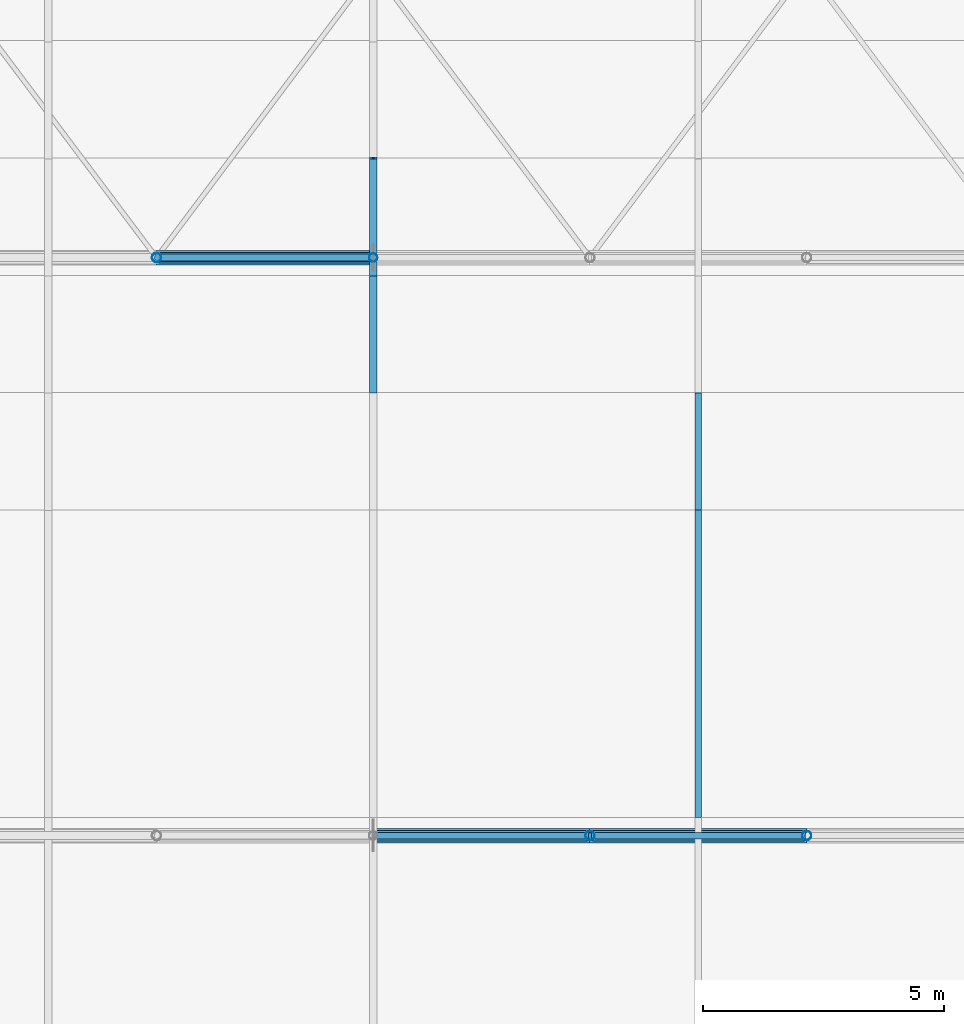
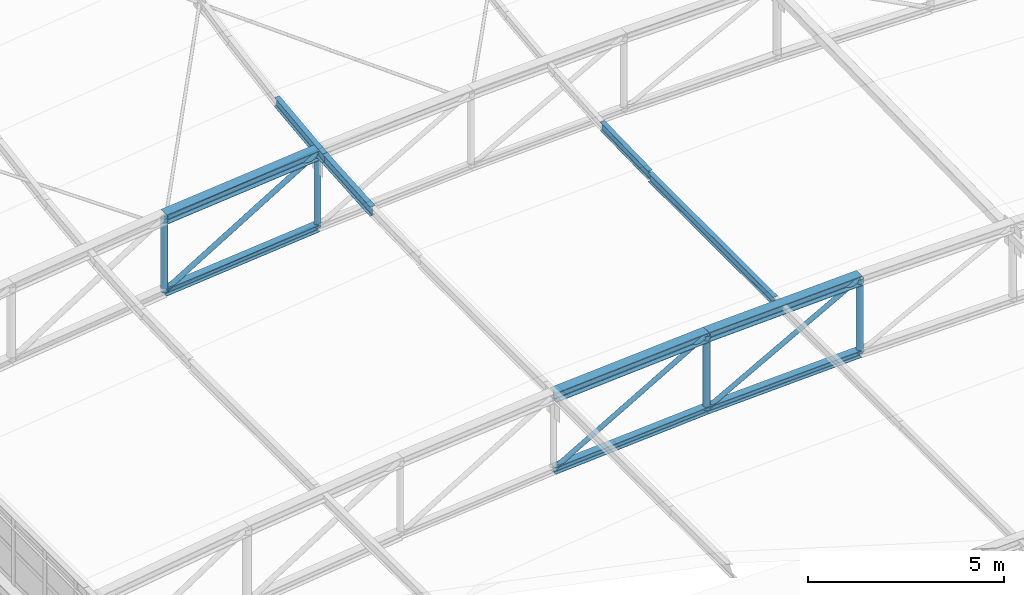
# One storey, part 108 of 262: 17 members.
"""IFC4 building model written with IfcOpenShell, lengths in metres."""

import ifcopenshell
import ifcopenshell.guid

model = None  # the IFC model being written
_history = None  # IfcOwnerHistory: only IFC2X3 demands one
_inside = {}  # id of a spatial element -> (the spatial element, [elements in it])
_under = {}  # id of a project, library or spatial element -> (it, [spatial elements below it])
_declared = {}  # id of a project -> (the project, [libraries it declares])
_typed = {}  # id of a type object -> (the type object, [elements of that type])
_made_of = {}  # id of a material, layer set ... -> (it, [elements and type objects made of it])


def new_model(schema):
    """Start an empty IFC model of exactly this schema.

    Asked for "IFC4X3", IfcOpenShell would pick the latest addendum, in which some entities
    have other attributes; the version numbers below select the first issue.
    IFC2X3 requires an IfcOwnerHistory on every rooted entity: one is made here for all.
    """
    global model, _history
    if schema == "IFC4X3":
        model = ifcopenshell.file(schema_version=(4, 3, 0, 0))
    else:
        model = ifcopenshell.file(schema=schema)
    _inside.clear()
    _under.clear()
    _declared.clear()
    _typed.clear()
    _made_of.clear()
    _history = None
    if model.schema == "IFC2X3":
        org = make("IfcOrganization", Name="unknown")
        user = make(
            "IfcPersonAndOrganization",
            ThePerson=make("IfcPerson", FamilyName="unknown"),
            TheOrganization=org,
        )
        app = make(
            "IfcApplication",
            ApplicationDeveloper=org,
            Version="unknown",
            ApplicationFullName="unknown",
            ApplicationIdentifier="unknown",
        )
        _history = make(
            "IfcOwnerHistory",
            OwningUser=user,
            OwningApplication=app,
            ChangeAction="ADDED",
            CreationDate=0,
        )
    return model


def make(cls, **values):
    """One entity of the class cls with the attributes given. An attribute that is None is left unset."""
    return model.create_entity(
        cls, **{name: value for name, value in values.items() if value is not None}
    )


def rooted(cls, **values):
    """An entity with a GlobalId (a new one), such as an element, a storey or a relation."""
    return make(cls, GlobalId=ifcopenshell.guid.new(), OwnerHistory=_history, **values)


def si_unit(unit_type, name, prefix=None):
    """IfcSIUnit, for example si_unit("LENGTHUNIT", "METRE", prefix="MILLI")."""
    return make("IfcSIUnit", UnitType=unit_type, Prefix=prefix, Name=name)


def derived_unit(unit_type, elements):
    """IfcDerivedUnit: a product of units, each with its exponent."""
    return make(
        "IfcDerivedUnit",
        Elements=[
            make("IfcDerivedUnitElement", Unit=unit, Exponent=power)
            for unit, power in elements
        ],
        UnitType=unit_type,
    )


def assignment(units):
    """IfcUnitAssignment: the units of a project."""
    return None if units is None else make("IfcUnitAssignment", Units=units)


def point(xyz):
    """IfcCartesianPoint."""
    return None if xyz is None else make("IfcCartesianPoint", Coordinates=xyz)


def direction(xyz):
    """IfcDirection."""
    return None if xyz is None else make("IfcDirection", DirectionRatios=xyz)


def frame(location, z_axis=None, x_axis=None):
    """IfcAxis2Placement3D, a coordinate frame: its origin and axes. An axis left out is left unset."""
    return make(
        "IfcAxis2Placement3D",
        Location=point(location),
        Axis=direction(z_axis),
        RefDirection=direction(x_axis),
    )


def frame_2d(location, x_axis=None):
    """IfcAxis2Placement2D, a coordinate frame in the plane: its origin and x axis."""
    return make(
        "IfcAxis2Placement2D", Location=point(location), RefDirection=direction(x_axis)
    )


def origin():
    """The frame at (0, 0, 0) with its axes left unset."""
    return frame((0.0, 0.0, 0.0))


def origin_2d():
    """The frame at (0, 0) in the plane with its x axis left unset."""
    return frame_2d((0.0, 0.0))


def place(relative_to, where):
    """IfcLocalPlacement: puts the frame where relative to a parent placement (None: the world)."""
    return make(
        "IfcLocalPlacement", PlacementRelTo=relative_to, RelativePlacement=where
    )


def context(
    kind, dimensions, precision=None, world=None, true_north=None, identifier=None
):
    """IfcGeometricRepresentationContext, for example the 3D "Model" context."""
    return make(
        "IfcGeometricRepresentationContext",
        ContextIdentifier=identifier,
        ContextType=kind,
        CoordinateSpaceDimension=dimensions,
        Precision=precision,
        WorldCoordinateSystem=world,
        TrueNorth=true_north,
    )


def subcontext(parent, identifier, kind, view, scale=None):
    """IfcGeometricRepresentationSubContext, for example "Body" below "Model"."""
    return make(
        "IfcGeometricRepresentationSubContext",
        ContextIdentifier=identifier,
        ContextType=kind,
        ParentContext=parent,
        TargetScale=scale,
        TargetView=view,
    )


def project(units=None, contexts=None):
    """IfcProject with its units and contexts."""
    return rooted(
        "IfcProject",
        Name="project",
        RepresentationContexts=contexts,
        UnitsInContext=assignment(units),
    )


def spatial(cls, under=None, at=None, **own):
    """A site, building, storey or space (cls), placed at a placement, below another one or the project."""
    s = rooted(cls, ObjectPlacement=at, **own)
    if under is not None:
        _under.setdefault(under.id(), (under, []))[1].append(s)
    return s


def profile(cls, at=None, kind="AREA", **sizes):
    """A parametric profile (cls). Its sizes go by their IFC names, for example OverallWidth=200.0."""
    return make(cls, ProfileType=kind, Position=at, **sizes)


def hollow_circle(**sizes):
    """IfcCircleHollowProfileDef."""
    return profile("IfcCircleHollowProfileDef", **sizes)


def i_section(**sizes):
    """IfcIShapeProfileDef."""
    return profile("IfcIShapeProfileDef", **sizes)


def extrude(swept, where, along, depth):
    """IfcExtrudedAreaSolid: the profile swept, set in the frame where, extruded along a direction by depth."""
    return make(
        "IfcExtrudedAreaSolid",
        SweptArea=swept,
        Position=where,
        ExtrudedDirection=direction(along),
        Depth=depth,
    )


def shape(context_of_items, identifier, shape_type, items):
    """IfcShapeRepresentation: the items that make up one representation, for example the "Body"."""
    return make(
        "IfcShapeRepresentation",
        ContextOfItems=context_of_items,
        RepresentationIdentifier=identifier,
        RepresentationType=shape_type,
        Items=items,
    )


def material(Name=None, Category=None):
    """IfcMaterial."""
    return make("IfcMaterial", Name=Name, Category=Category)


def material_profile(
    of_material, cross_section, Name=None, Category=None, Priority=None
):
    """IfcMaterialProfile: a cross section and its material."""
    return make(
        "IfcMaterialProfile",
        Name=Name,
        Material=of_material,
        Profile=cross_section,
        Priority=Priority,
        Category=Category,
    )


def profile_set(profiles, Name=None, composite=None):
    """IfcMaterialProfileSet."""
    return make(
        "IfcMaterialProfileSet",
        Name=Name,
        MaterialProfiles=profiles,
        CompositeProfile=composite,
    )


def made_of(thing, what):
    """Note that an element or type object is made of a material, layer set ...; save() writes the relation."""
    if what is not None:
        _made_of.setdefault(what.id(), (what, []))[1].append(thing)
    return thing


def type_object(cls, material=None, **own):
    """A type object (cls), such as IfcWallType, which elements share."""
    return made_of(rooted(cls, **own), material)


def element(
    cls,
    number,
    at=None,
    inside=None,
    cuts=None,
    type_object=None,
    material=None,
    context=None,
    identifier="Body",
    shape_type=None,
    held_by="IfcProductDefinitionShape",
    body=None,
    shapes=None,
    **own,
):
    """One element of the class cls, such as IfcWall. Its Tag is "e" and its number.

    at: its placement. inside: the storey or other place that contains it. cuts: it is an
    opening in that element (IfcRelVoidsElement). A single representation is given by context,
    identifier, shape_type and body (its items); several are given by shapes. held_by: the class
    of the entity that holds the representations. save() writes the other relations.
    """
    e = rooted(cls, Tag="e%d" % number, ObjectPlacement=at, **own)
    if body is not None:
        shapes = [shape(context, identifier, shape_type, body)]
    if shapes is not None:
        e.Representation = make(held_by, Representations=shapes)
    if inside is not None:
        _inside.setdefault(inside.id(), (inside, []))[1].append(e)
    if cuts is not None:
        rooted(
            "IfcRelVoidsElement", RelatingBuildingElement=cuts, RelatedOpeningElement=e
        )
    if type_object is not None:
        _typed.setdefault(type_object.id(), (type_object, []))[1].append(e)
    return made_of(e, material)


def aggregate(whole, parts):
    """IfcRelAggregates: a whole, such as a stair, and the parts it consists of."""
    return rooted("IfcRelAggregates", RelatingObject=whole, RelatedObjects=parts)


def save(model, path):
    """Write the relations noted so far, then the file.

    IfcRelAggregates (storeys below a building ...), IfcRelContainedInSpatialStructure (elements
    in a storey), IfcRelDefinesByType, IfcRelAssociatesMaterial and IfcRelDeclares: one each for
    every whole, place, type object, material and project.
    """
    for whole, parts in _under.values():
        aggregate(whole, parts)
    for where, things in _inside.values():
        rooted(
            "IfcRelContainedInSpatialStructure",
            RelatedElements=things,
            RelatingStructure=where,
        )
    for kind, things in _typed.values():
        rooted("IfcRelDefinesByType", RelatedObjects=things, RelatingType=kind)
    for what, things in _made_of.values():
        rooted("IfcRelAssociatesMaterial", RelatedObjects=things, RelatingMaterial=what)
    for by, libraries in _declared.values():
        rooted("IfcRelDeclares", RelatingContext=by, RelatedDefinitions=libraries)
    model.write(path)


model = new_model("IFC4")

# Units and contexts
model_context = context("Model", 3, precision=1e-05, world=origin(), true_north=direction((0.0, 1.0)))
body_context = subcontext(model_context, "Body", "Model", "MODEL_VIEW")
ifc_project = project(units=[si_unit("LENGTHUNIT", "METRE"), si_unit("AREAUNIT", "SQUARE_METRE"), si_unit("VOLUMEUNIT", "CUBIC_METRE"), si_unit("PLANEANGLEUNIT", "RADIAN"), si_unit("MASSUNIT", "GRAM", prefix="KILO"), derived_unit("THERMALTRANSMITTANCEUNIT", [(si_unit("POWERUNIT", "WATT"), 1), (si_unit("LENGTHUNIT", "METRE"), -2), (si_unit("THERMODYNAMICTEMPERATUREUNIT", "KELVIN"), -1)])], contexts=[model_context])

# Site, building, storey
site_placement = place(None, origin())
site = spatial("IfcSite", under=ifc_project, at=site_placement, CompositionType="ELEMENT")
building_placement = place(site_placement, origin())
building = spatial("IfcBuilding", under=site, at=building_placement, Name="Almenara Railside Exhibition Hall", CompositionType="ELEMENT")
storey_placement = place(building_placement, frame((0.0, 0.0, 21.699951171875)))
storey = spatial("IfcBuildingStorey", under=building, at=storey_placement, Name="RF", CompositionType="ELEMENT", Elevation=21.699951171875)

# Members
ifc_material = material(Name="Structural steel S355JR", Category="steel")
ifc_material_profile_1 = material_profile(ifc_material, i_section(OverallWidth=0.300048828125, OverallDepth=0.300048828125, WebThickness=0.010986328125, FlangeThickness=0.01904296875, FilletRadius=0.027099609375, at=origin_2d()), Name="HEB 300")
ifc_profile_set_1 = profile_set([ifc_material_profile_1], Name="Structural steel S355JR")
member_type_1 = type_object("IfcMemberType", Name="Arched Inner Top Chord HEB 300 S355JR", PredefinedType="CHORD", material=ifc_profile_set_1)
member_1_placement = place(storey_placement, frame((25.5, 96.0, 1.550048828125), z_axis=(0.997701025897, 0.0, 0.067769188608), x_axis=(0.0, 1.0, 0.0)))
element("IfcMember", 1, at=member_1_placement, inside=storey, type_object=member_type_1, Name="MEM-TC-V1-04-03", PredefinedType="CHORD", context=body_context, shape_type="SweptSolid", body=[
    extrude(i_section(OverallWidth=0.300048828125, OverallDepth=0.300048828125, WebThickness=0.010986328125, FlangeThickness=0.01904296875, FilletRadius=0.027099609375, at=origin_2d()), origin(), (0.0, 0.0, 1.0), 4.51025390625),
])
member_2_placement = place(storey_placement, frame((30.0, 96.0, 1.855712890625), z_axis=(0.999173184279, 0.0, 0.040656460949), x_axis=(0.0, 1.0, 0.0)))
element("IfcMember", 2, at=member_2_placement, inside=storey, type_object=member_type_1, Name="MEM-TC-V1-04-04", PredefinedType="CHORD", context=body_context, shape_type="SweptSolid", body=[
    extrude(i_section(OverallWidth=0.300048828125, OverallDepth=0.300048828125, WebThickness=0.010986328125, FlangeThickness=0.01904296875, FilletRadius=0.027099609375, at=origin_2d()), origin(), (0.0, 0.0, 1.0), 4.503662109375),
])
member_3_placement = place(storey_placement, frame((21.0, 108.0, 1.386962890625), z_axis=(0.995512933083, 0.0, 0.094625578275), x_axis=(0.0, 1.0, 0.0)))
element("IfcMember", 3, at=member_3_placement, inside=storey, type_object=member_type_1, Name="MEM-TC-V1-05-02", PredefinedType="CHORD", context=body_context, shape_type="SweptSolid", body=[
    extrude(i_section(OverallWidth=0.300048828125, OverallDepth=0.300048828125, WebThickness=0.010986328125, FlangeThickness=0.01904296875, FilletRadius=0.027099609375, at=origin_2d()), origin(), (0.0, 0.0, 1.0), 4.520263671875),
])
ifc_material_profile_2 = material_profile(ifc_material, i_section(OverallWidth=0.14990234375, OverallDepth=0.300048828125, WebThickness=0.007080078125, FlangeThickness=0.0107421875, FilletRadius=0.014892578125, at=origin_2d()), Name="IPE 300")
ifc_profile_set_2 = profile_set([ifc_material_profile_2], Name="Structural steel S355JR")
member_type_2 = type_object("IfcMemberType", Name="East Hall Ridge Purlin IPE 300 S355JR", PredefinedType="PURLIN", material=ifc_profile_set_2)
member_4_placement = place(storey_placement, frame((25.5, 105.1962890625, 1.693359375), z_axis=(0.0, 0.997521719737, 0.070359211571), x_axis=(-1.0, 0.0, 0.0)))
element("IfcMember", 4, at=member_4_placement, inside=storey, type_object=member_type_2, Name="MEM-PR-V1-PR-IPE300-02-17", PredefinedType="PURLIN", context=body_context, shape_type="SweptSolid", body=[
    extrude(i_section(OverallWidth=0.14990234375, OverallDepth=0.300048828125, WebThickness=0.007080078125, FlangeThickness=0.0107421875, FilletRadius=0.014892578125, at=origin_2d()), origin(), (0.0, 0.0, 1.0), 2.44287109375),
])
member_5_placement = place(storey_placement, frame((25.5, 107.633056640625, 1.863525390625), z_axis=(0.0, 0.993105700961, 0.117222296166), x_axis=(-1.0, 0.0, 0.0)))
element("IfcMember", 5, at=member_5_placement, inside=storey, type_object=member_type_2, Name="MEM-PR-V1-PR-IPE300-02-18", PredefinedType="PURLIN", context=body_context, shape_type="SweptSolid", body=[
    extrude(i_section(OverallWidth=0.14990234375, OverallDepth=0.300048828125, WebThickness=0.007080078125, FlangeThickness=0.0107421875, FilletRadius=0.014892578125, at=origin_2d()), origin(), (0.0, 0.0, 1.0), 2.453369140625),
])
ifc_material_profile_3 = material_profile(ifc_material, i_section(OverallWidth=0.135009765625, OverallDepth=0.27001953125, WebThickness=0.006591796875, FlangeThickness=0.01025390625, FilletRadius=0.014892578125, at=origin_2d()), Name="IPE 270")
ifc_profile_set_3 = profile_set([ifc_material_profile_3], Name="Structural steel S355JR")
member_type_3 = type_object("IfcMemberType", Name="East Hall Standard Purlin IPE 270 S355JR", PredefinedType="PURLIN", material=ifc_profile_set_3)
member_6_placement = place(storey_placement, frame((32.25, 96.3798828125, 1.8798828125), z_axis=(0.0, 1.0, 0.0), x_axis=(-1.0, 0.0, 0.0)))
element("IfcMember", 6, at=member_6_placement, inside=storey, type_object=member_type_3, Name="MEM-PR-V1-PR-IPE270-03-15", PredefinedType="PURLIN", context=body_context, shape_type="SweptSolid", body=[
    extrude(i_section(OverallWidth=0.135009765625, OverallDepth=0.27001953125, WebThickness=0.006591796875, FlangeThickness=0.01025390625, FilletRadius=0.014892578125, at=origin_2d()), origin(), (0.0, 0.0, 1.0), 6.379638671875),
])
member_7_placement = place(storey_placement, frame((32.25, 102.759521484375, 1.929931640625), z_axis=(0.0, 0.999725289903, 0.023438104182), x_axis=(-1.0, 0.0, 0.0)))
element("IfcMember", 7, at=member_7_placement, inside=storey, type_object=member_type_3, Name="MEM-PR-V1-PR-IPE270-03-16", PredefinedType="PURLIN", context=body_context, shape_type="SweptSolid", body=[
    extrude(i_section(OverallWidth=0.135009765625, OverallDepth=0.27001953125, WebThickness=0.006591796875, FlangeThickness=0.01025390625, FilletRadius=0.014892578125, at=origin_2d()), origin(), (0.0, 0.0, 1.0), 2.4375),
])
ifc_material_profile_4 = material_profile(ifc_material, i_section(OverallWidth=0.219970703125, OverallDepth=0.219970703125, WebThickness=0.009521484375, FlangeThickness=0.01611328125, FilletRadius=0.01806640625, at=origin_2d()), Name="HEB 220")
ifc_profile_set_4 = profile_set([ifc_material_profile_4], Name="Structural steel S355JR")
member_type_4 = type_object("IfcMemberType", Name="Scroll Tie Chord HEB 220 S355JR", PredefinedType="CHORD", material=ifc_profile_set_4)
member_8_placement = place(storey_placement, frame((25.5, 96.0, -0.75), z_axis=(0.997701025897, 0.0, 0.067769188608), x_axis=(0.0, 1.0, 0.0)))
element("IfcMember", 8, at=member_8_placement, inside=storey, type_object=member_type_4, Name="MEM-BC-V1-04-03", PredefinedType="CHORD", context=body_context, shape_type="SweptSolid", body=[
    extrude(i_section(OverallWidth=0.219970703125, OverallDepth=0.219970703125, WebThickness=0.009521484375, FlangeThickness=0.01611328125, FilletRadius=0.01806640625, at=origin_2d()), origin(), (0.0, 0.0, 1.0), 4.51025390625),
])
member_9_placement = place(storey_placement, frame((30.0, 96.0, -0.4443359375), z_axis=(0.99917098071, 0.0, 0.04071057978), x_axis=(0.0, 1.0, 0.0)))
element("IfcMember", 9, at=member_9_placement, inside=storey, type_object=member_type_4, Name="MEM-BC-V1-04-04", PredefinedType="CHORD", context=body_context, shape_type="SweptSolid", body=[
    extrude(i_section(OverallWidth=0.219970703125, OverallDepth=0.219970703125, WebThickness=0.009521484375, FlangeThickness=0.01611328125, FilletRadius=0.01806640625, at=origin_2d()), origin(), (0.0, 0.0, 1.0), 4.503662109375),
])
member_10_placement = place(storey_placement, frame((21.0, 108.0, -0.9130859375), z_axis=(0.995507843872, 0.0, 0.094679104292), x_axis=(0.0, 1.0, 0.0)))
element("IfcMember", 10, at=member_10_placement, inside=storey, type_object=member_type_4, Name="MEM-BC-V1-05-02", PredefinedType="CHORD", context=body_context, shape_type="SweptSolid", body=[
    extrude(i_section(OverallWidth=0.219970703125, OverallDepth=0.219970703125, WebThickness=0.009521484375, FlangeThickness=0.01611328125, FilletRadius=0.01806640625, at=origin_2d()), origin(), (0.0, 0.0, 1.0), 4.520263671875),
])
ifc_material_profile_5 = material_profile(ifc_material, hollow_circle(Radius=0.06982421875, WallThickness=0.0048828125, at=origin_2d()), Name="CHS 139.7x5")
ifc_profile_set_5 = profile_set([ifc_material_profile_5], Name="Structural steel S355JR")
member_type_5 = type_object("IfcMemberType", Name="Truss Inner Diagonal CHS 139.7x5 S355JR", PredefinedType="BRACE", material=ifc_profile_set_5)
member_11_placement = place(storey_placement, frame((25.5, 96.0, -0.75), z_axis=(0.865388781224, 0.0, 0.501101045031), x_axis=(0.0, 1.0, 0.0)))
element("IfcMember", 11, at=member_11_placement, inside=storey, type_object=member_type_5, Name="MEM-TD-V1-04-03", PredefinedType="BRACE", context=body_context, shape_type="SweptSolid", body=[
    extrude(hollow_circle(Radius=0.06982421875, WallThickness=0.0048828125, at=origin_2d()), origin(), (0.0, 0.0, 1.0), 5.199951171875),
])
member_12_placement = place(storey_placement, frame((30.0, 96.0, -0.4443359375), z_axis=(0.875545119572, 0.0, 0.483136361283), x_axis=(0.0, 1.0, 0.0)))
element("IfcMember", 12, at=member_12_placement, inside=storey, type_object=member_type_5, Name="MEM-TD-V1-04-04", PredefinedType="BRACE", context=body_context, shape_type="SweptSolid", body=[
    extrude(hollow_circle(Radius=0.06982421875, WallThickness=0.0048828125, at=origin_2d()), origin(), (0.0, 0.0, 1.0), 5.1396484375),
])
ifc_material_profile_6 = material_profile(ifc_material, hollow_circle(Radius=0.076171875, WallThickness=0.0048828125, at=origin_2d()), Name="CHS 152.4x5")
ifc_profile_set_6 = profile_set([ifc_material_profile_6], Name="Structural steel S355JR")
member_type_6 = type_object("IfcMemberType", Name="Truss Mid Diagonal CHS 152.4x5 S355JR", PredefinedType="BRACE", material=ifc_profile_set_6)
member_13_placement = place(storey_placement, frame((21.0, 108.0, -0.9130859375), z_axis=(0.855154829777, 0.0, 0.518372662386), x_axis=(0.0, 1.0, 0.0)))
element("IfcMember", 13, at=member_13_placement, inside=storey, type_object=member_type_6, Name="MEM-TD-V1-05-02", PredefinedType="BRACE", context=body_context, shape_type="SweptSolid", body=[
    extrude(hollow_circle(Radius=0.076171875, WallThickness=0.0048828125, at=origin_2d()), origin(), (0.0, 0.0, 1.0), 5.26220703125),
])
ifc_material_profile_7 = material_profile(ifc_material, hollow_circle(Radius=0.0888671875, WallThickness=0.006103515625, at=origin_2d()), Name="CHS 177.8x6")
ifc_profile_set_7 = profile_set([ifc_material_profile_7], Name="Structural steel S355JR")
member_type_7 = type_object("IfcMemberType", Name="Truss Quarter Vertical Strut CHS 177.8x6 S355JR", PredefinedType="BRACE", material=ifc_profile_set_7)
member_14_placement = place(storey_placement, frame((25.5, 108.0, -0.485107421875), z_axis=(0.0, 0.0, 1.0), x_axis=(1.0, 0.0, 0.0)))
element("IfcMember", 14, at=member_14_placement, inside=storey, type_object=member_type_7, Name="MEM-TV-V1-05-03", PredefinedType="BRACE", context=body_context, shape_type="SweptSolid", body=[
    extrude(hollow_circle(Radius=0.0888671875, WallThickness=0.006103515625, at=origin_2d()), origin(), (0.0, 0.0, 1.0), 2.2998046875),
])
ifc_material_profile_8 = material_profile(ifc_material, hollow_circle(Radius=0.096923828125, WallThickness=0.00634765625, at=origin_2d()), Name="CHS 193.7x6.3")
ifc_profile_set_8 = profile_set([ifc_material_profile_8], Name="Structural steel S355JR")
member_type_8 = type_object("IfcMemberType", Name="Truss Standard Vertical Strut CHS 193.7x6.3 S355JR", PredefinedType="BRACE", material=ifc_profile_set_8)
member_15_placement = place(storey_placement, frame((30.0, 96.0, -0.4443359375), z_axis=(0.0, 0.0, 1.0), x_axis=(1.0, 0.0, 0.0)))
element("IfcMember", 15, at=member_15_placement, inside=storey, type_object=member_type_8, Name="MEM-TV-V1-04-04", PredefinedType="BRACE", context=body_context, shape_type="SweptSolid", body=[
    extrude(hollow_circle(Radius=0.096923828125, WallThickness=0.00634765625, at=origin_2d()), origin(), (0.0, 0.0, 1.0), 2.300048828125),
])
member_16_placement = place(storey_placement, frame((34.5, 96.0, -0.260986328125), z_axis=(0.0, 0.0, 1.0), x_axis=(1.0, 0.0, 0.0)))
element("IfcMember", 16, at=member_16_placement, inside=storey, type_object=member_type_8, Name="MEM-TV-V1-04-05", PredefinedType="BRACE", context=body_context, shape_type="SweptSolid", body=[
    extrude(hollow_circle(Radius=0.096923828125, WallThickness=0.00634765625, at=origin_2d()), origin(), (0.0, 0.0, 1.0), 2.2998046875),
])
member_17_placement = place(storey_placement, frame((21.0, 108.0, -0.9130859375), z_axis=(0.0, 0.0, 1.0), x_axis=(1.0, 0.0, 0.0)))
element("IfcMember", 17, at=member_17_placement, inside=storey, type_object=member_type_8, Name="MEM-TV-V1-05-02", PredefinedType="BRACE", context=body_context, shape_type="SweptSolid", body=[
    extrude(hollow_circle(Radius=0.096923828125, WallThickness=0.00634765625, at=origin_2d()), origin(), (0.0, 0.0, 1.0), 2.300048828125),
])

save(model, "model.ifc")
